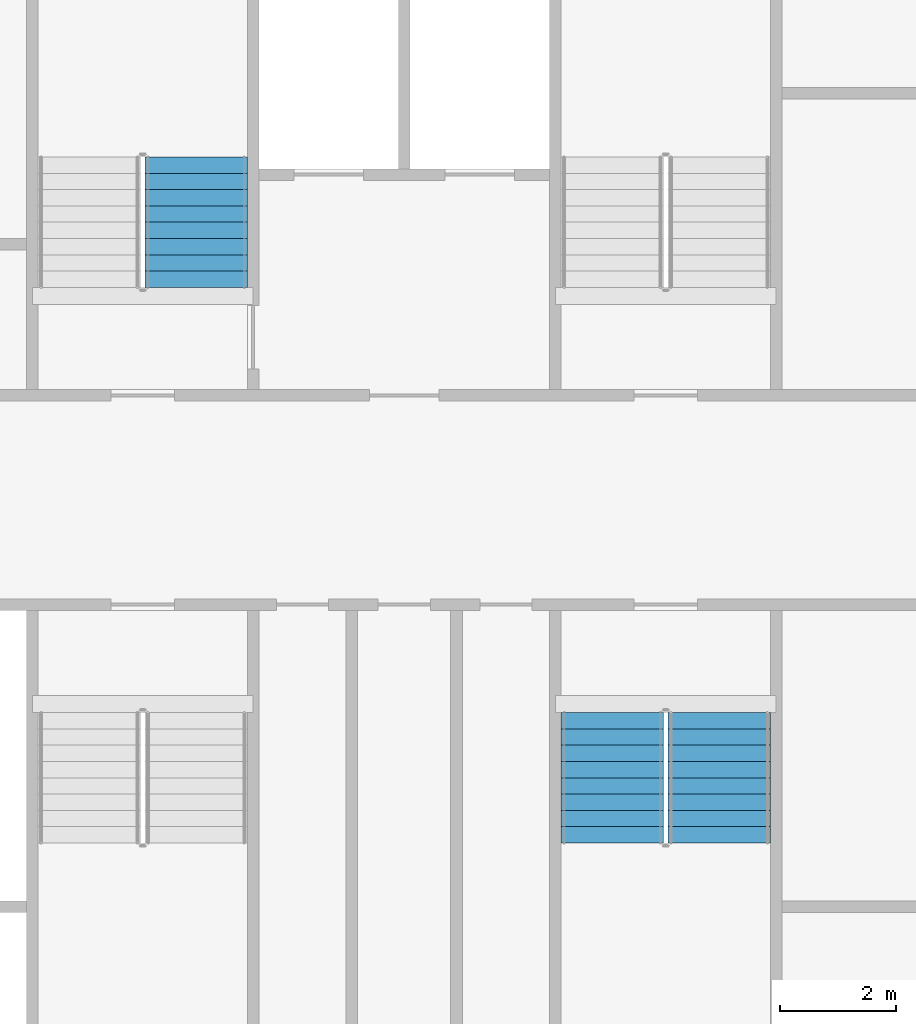
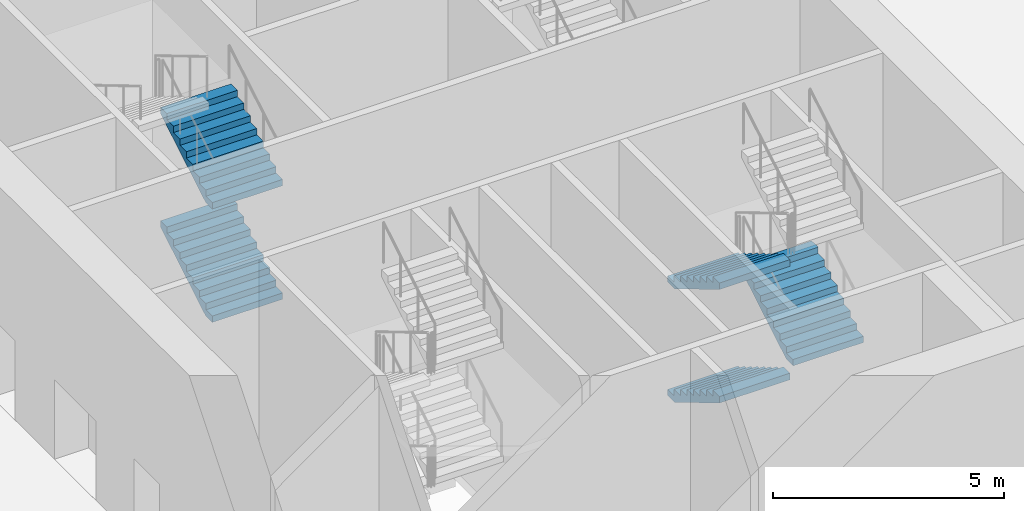
# One storey, part 14 of 24: 5 stair flights, 2 elements without a shape of their own.
"""IFC4 building model written with IfcOpenShell, lengths in metres."""

import ifcopenshell
import ifcopenshell.guid

model = None  # the IFC model being written
_history = None  # IfcOwnerHistory: only IFC2X3 demands one
_inside = {}  # id of a spatial element -> (the spatial element, [elements in it])
_under = {}  # id of a project, library or spatial element -> (it, [spatial elements below it])
_declared = {}  # id of a project -> (the project, [libraries it declares])
_typed = {}  # id of a type object -> (the type object, [elements of that type])
_made_of = {}  # id of a material, layer set ... -> (it, [elements and type objects made of it])


def new_model(schema):
    """Start an empty IFC model of exactly this schema.

    Asked for "IFC4X3", IfcOpenShell would pick the latest addendum, in which some entities
    have other attributes; the version numbers below select the first issue.
    IFC2X3 requires an IfcOwnerHistory on every rooted entity: one is made here for all.
    """
    global model, _history
    if schema == "IFC4X3":
        model = ifcopenshell.file(schema_version=(4, 3, 0, 0))
    else:
        model = ifcopenshell.file(schema=schema)
    _inside.clear()
    _under.clear()
    _declared.clear()
    _typed.clear()
    _made_of.clear()
    _history = None
    if model.schema == "IFC2X3":
        org = make("IfcOrganization", Name="unknown")
        user = make(
            "IfcPersonAndOrganization",
            ThePerson=make("IfcPerson", FamilyName="unknown"),
            TheOrganization=org,
        )
        app = make(
            "IfcApplication",
            ApplicationDeveloper=org,
            Version="unknown",
            ApplicationFullName="unknown",
            ApplicationIdentifier="unknown",
        )
        _history = make(
            "IfcOwnerHistory",
            OwningUser=user,
            OwningApplication=app,
            ChangeAction="ADDED",
            CreationDate=0,
        )
    return model


def make(cls, **values):
    """One entity of the class cls with the attributes given. An attribute that is None is left unset."""
    return model.create_entity(
        cls, **{name: value for name, value in values.items() if value is not None}
    )


def rooted(cls, **values):
    """An entity with a GlobalId (a new one), such as an element, a storey or a relation."""
    return make(cls, GlobalId=ifcopenshell.guid.new(), OwnerHistory=_history, **values)


def si_unit(unit_type, name, prefix=None):
    """IfcSIUnit, for example si_unit("LENGTHUNIT", "METRE", prefix="MILLI")."""
    return make("IfcSIUnit", UnitType=unit_type, Prefix=prefix, Name=name)


def assignment(units):
    """IfcUnitAssignment: the units of a project."""
    return None if units is None else make("IfcUnitAssignment", Units=units)


def point(xyz):
    """IfcCartesianPoint."""
    return None if xyz is None else make("IfcCartesianPoint", Coordinates=xyz)


def direction(xyz):
    """IfcDirection."""
    return None if xyz is None else make("IfcDirection", DirectionRatios=xyz)


def frame(location, z_axis=None, x_axis=None):
    """IfcAxis2Placement3D, a coordinate frame: its origin and axes. An axis left out is left unset."""
    return make(
        "IfcAxis2Placement3D",
        Location=point(location),
        Axis=direction(z_axis),
        RefDirection=direction(x_axis),
    )


def origin():
    """The frame at (0, 0, 0) with its axes left unset."""
    return frame((0.0, 0.0, 0.0))


def place(relative_to, where):
    """IfcLocalPlacement: puts the frame where relative to a parent placement (None: the world)."""
    return make(
        "IfcLocalPlacement", PlacementRelTo=relative_to, RelativePlacement=where
    )


def context(
    kind, dimensions, precision=None, world=None, true_north=None, identifier=None
):
    """IfcGeometricRepresentationContext, for example the 3D "Model" context."""
    return make(
        "IfcGeometricRepresentationContext",
        ContextIdentifier=identifier,
        ContextType=kind,
        CoordinateSpaceDimension=dimensions,
        Precision=precision,
        WorldCoordinateSystem=world,
        TrueNorth=true_north,
    )


def subcontext(parent, identifier, kind, view, scale=None):
    """IfcGeometricRepresentationSubContext, for example "Body" below "Model"."""
    return make(
        "IfcGeometricRepresentationSubContext",
        ContextIdentifier=identifier,
        ContextType=kind,
        ParentContext=parent,
        TargetScale=scale,
        TargetView=view,
    )


def project(units=None, contexts=None):
    """IfcProject with its units and contexts."""
    return rooted(
        "IfcProject",
        Name="project",
        RepresentationContexts=contexts,
        UnitsInContext=assignment(units),
    )


def spatial(cls, under=None, at=None, **own):
    """A site, building, storey or space (cls), placed at a placement, below another one or the project."""
    s = rooted(cls, ObjectPlacement=at, **own)
    if under is not None:
        _under.setdefault(under.id(), (under, []))[1].append(s)
    return s


def faces_of(points, faces, orient=None, outer=None):
    """IfcFace entities. A face is a list of loops; a loop is a list of indices into points, from 0.

    orient and outer hold one flag for each loop. By default every Orientation is true, the
    first loop of a face is its IfcFaceOuterBound and the others are IfcFaceBound.
    """
    made = []
    for i, loops in enumerate(faces):
        bounds = []
        for j, loop in enumerate(loops):
            is_outer = j == 0 if outer is None else outer[i][j]
            bounds.append(
                make(
                    "IfcFaceOuterBound" if is_outer else "IfcFaceBound",
                    Bound=make("IfcPolyLoop", Polygon=[points[k] for k in loop]),
                    Orientation=True if orient is None else orient[i][j],
                )
            )
        made.append(make("IfcFace", Bounds=bounds))
    return made


def faceted_brep(points, faces, orient=None, outer=None, voids=None):
    """IfcFacetedBrep: a solid bounded by flat faces; with voids (closed shells), ...WithVoids."""
    shared = [point(p) for p in points]
    hull = make("IfcClosedShell", CfsFaces=faces_of(shared, faces, orient, outer))
    if voids is None:
        return make("IfcFacetedBrep", Outer=hull)
    return make(
        "IfcFacetedBrepWithVoids",
        Outer=hull,
        Voids=[
            make(cls, CfsFaces=faces_of(shared, fs, o, b)) for cls, fs, o, b in voids
        ],
    )


def shape(context_of_items, identifier, shape_type, items):
    """IfcShapeRepresentation: the items that make up one representation, for example the "Body"."""
    return make(
        "IfcShapeRepresentation",
        ContextOfItems=context_of_items,
        RepresentationIdentifier=identifier,
        RepresentationType=shape_type,
        Items=items,
    )


def material(Name=None, Category=None):
    """IfcMaterial."""
    return make("IfcMaterial", Name=Name, Category=Category)


def made_of(thing, what):
    """Note that an element or type object is made of a material, layer set ...; save() writes the relation."""
    if what is not None:
        _made_of.setdefault(what.id(), (what, []))[1].append(thing)
    return thing


def type_object(cls, material=None, **own):
    """A type object (cls), such as IfcWallType, which elements share."""
    return made_of(rooted(cls, **own), material)


def element(
    cls,
    number,
    at=None,
    inside=None,
    cuts=None,
    type_object=None,
    material=None,
    context=None,
    identifier="Body",
    shape_type=None,
    held_by="IfcProductDefinitionShape",
    body=None,
    shapes=None,
    **own,
):
    """One element of the class cls, such as IfcWall. Its Tag is "e" and its number.

    at: its placement. inside: the storey or other place that contains it. cuts: it is an
    opening in that element (IfcRelVoidsElement). A single representation is given by context,
    identifier, shape_type and body (its items); several are given by shapes. held_by: the class
    of the entity that holds the representations. save() writes the other relations.
    """
    e = rooted(cls, Tag="e%d" % number, ObjectPlacement=at, **own)
    if body is not None:
        shapes = [shape(context, identifier, shape_type, body)]
    if shapes is not None:
        e.Representation = make(held_by, Representations=shapes)
    if inside is not None:
        _inside.setdefault(inside.id(), (inside, []))[1].append(e)
    if cuts is not None:
        rooted(
            "IfcRelVoidsElement", RelatingBuildingElement=cuts, RelatedOpeningElement=e
        )
    if type_object is not None:
        _typed.setdefault(type_object.id(), (type_object, []))[1].append(e)
    return made_of(e, material)


def aggregate(whole, parts):
    """IfcRelAggregates: a whole, such as a stair, and the parts it consists of."""
    return rooted("IfcRelAggregates", RelatingObject=whole, RelatedObjects=parts)


def save(model, path):
    """Write the relations noted so far, then the file.

    IfcRelAggregates (storeys below a building ...), IfcRelContainedInSpatialStructure (elements
    in a storey), IfcRelDefinesByType, IfcRelAssociatesMaterial and IfcRelDeclares: one each for
    every whole, place, type object, material and project.
    """
    for whole, parts in _under.values():
        aggregate(whole, parts)
    for where, things in _inside.values():
        rooted(
            "IfcRelContainedInSpatialStructure",
            RelatedElements=things,
            RelatingStructure=where,
        )
    for kind, things in _typed.values():
        rooted("IfcRelDefinesByType", RelatedObjects=things, RelatingType=kind)
    for what, things in _made_of.values():
        rooted("IfcRelAssociatesMaterial", RelatedObjects=things, RelatingMaterial=what)
    for by, libraries in _declared.values():
        rooted("IfcRelDeclares", RelatingContext=by, RelatedDefinitions=libraries)
    model.write(path)


model = new_model("IFC4")

# Units and contexts
model_context = context("Model", 3, precision=1e-05, world=origin(), true_north=direction((0.0, 1.0)))
body_context = subcontext(model_context, "Body", "Model", "MODEL_VIEW")
ifc_project = project(units=[si_unit("LENGTHUNIT", "METRE"), si_unit("AREAUNIT", "SQUARE_METRE"), si_unit("VOLUMEUNIT", "CUBIC_METRE"), si_unit("PLANEANGLEUNIT", "RADIAN"), si_unit("MASSUNIT", "GRAM", prefix="KILO")], contexts=[model_context])

# Site, building, storey
site_placement = place(None, origin())
site = spatial("IfcSite", under=ifc_project, at=site_placement, CompositionType="ELEMENT")
building_placement = place(site_placement, origin())
building = spatial("IfcBuilding", under=site, at=building_placement, Name="Tarsis Ring Headquarters", CompositionType="ELEMENT")
storey_placement = place(building_placement, frame((0.0, 0.0, 8.0)))
storey = spatial("IfcBuildingStorey", under=building, at=storey_placement, Name="L01", CompositionType="ELEMENT", Elevation=8.0)

# Stair, stair flights
ifc_material_1 = material(Name="Core stair 1760")
stair_type = type_object("IfcStairType", Name="Core stair 1760", PredefinedType="HALF_TURN_STAIR", material=ifc_material_1)
stair_1_placement = place(storey_placement, origin())
stair_1 = element("IfcStair", 1, at=stair_1_placement, inside=storey, type_object=stair_type, Name="L01 Firefighting stair", PredefinedType="HALF_TURN_STAIR")
ifc_material_2 = material(Name="Concrete C40/50", Category="concrete")
stair_flight_type = type_object("IfcStairFlightType", Name="Core stair flight 1760", PredefinedType="STRAIGHT", material=ifc_material_2)
stair_flight_1_placement = place(storey_placement, frame((-3.580078125, 3.659912109375, 0.0), z_axis=(0.0, 0.0, 1.0), x_axis=(0.0, 1.0, 0.0)))
stair_flight_1 = element("IfcStairFlight", 2, at=stair_flight_1_placement, type_object=stair_flight_type, Name="Stair ST1 flight 1", NumberOfRisers=9, NumberOfTreads=8, PredefinedType="STRAIGHT", RiserHeight=0.166666667, TreadLength=0.28, context=body_context, shape_type="Brep", body=[
    faceted_brep([(0.0, 0.8798828125, 0.0), (0.0, 0.8798828125, 0.166748046875), (0.280029296875, 0.8798828125, 0.166748046875), (0.280029296875, 0.8798828125, 0.333251953125), (0.56005859375, 0.8798828125, 0.333251953125), (0.56005859375, 0.8798828125, 0.5), (0.840087890625, 0.8798828125, 0.5), (0.840087890625, 0.8798828125, 0.666748046875), (1.1201171875, 0.8798828125, 0.666748046875), (1.1201171875, 0.8798828125, 0.833251953125), (1.39990234375, 0.8798828125, 0.833251953125), (1.39990234375, 0.8798828125, 1.0), (1.679931640625, 0.8798828125, 1.0), (1.679931640625, 0.8798828125, 1.166748046875), (1.9599609375, 0.8798828125, 1.166748046875), (1.9599609375, 0.8798828125, 1.333251953125), (2.239990234375, 0.8798828125, 1.333251953125), (2.239990234375, 0.8798828125, 1.158935546875), (0.29296875, 0.8798828125, 0.0), (0.29296875, -0.8798828125, 0.0), (2.239990234375, -0.8798828125, 1.158935546875), (2.239990234375, -0.8798828125, 1.333251953125), (1.9599609375, -0.8798828125, 1.333251953125), (1.9599609375, -0.8798828125, 1.166748046875), (1.679931640625, -0.8798828125, 1.166748046875), (1.679931640625, -0.8798828125, 1.0), (1.39990234375, -0.8798828125, 1.0), (1.39990234375, -0.8798828125, 0.833251953125), (1.1201171875, -0.8798828125, 0.833251953125), (1.1201171875, -0.8798828125, 0.666748046875), (0.840087890625, -0.8798828125, 0.666748046875), (0.840087890625, -0.8798828125, 0.5), (0.56005859375, -0.8798828125, 0.5), (0.56005859375, -0.8798828125, 0.333251953125), (0.280029296875, -0.8798828125, 0.333251953125), (0.280029296875, -0.8798828125, 0.166748046875), (0.0, -0.8798828125, 0.166748046875), (0.0, -0.8798828125, 0.0), (0.0, -0.43994140625, 0.166748046875), (0.0, -0.43994140625, 0.0), (0.0, 0.0, 0.166748046875), (0.0, 0.0, 0.0), (0.0, 0.43994140625, 0.166748046875), (0.0, 0.43994140625, 0.0), (0.280029296875, -0.43994140625, 0.166748046875), (0.280029296875, 0.0, 0.166748046875), (0.280029296875, 0.43994140625, 0.166748046875), (0.280029296875, -0.43994140625, 0.333251953125), (0.280029296875, 0.0, 0.333251953125), (0.280029296875, 0.43994140625, 0.333251953125), (0.56005859375, -0.43994140625, 0.333251953125), (0.56005859375, 0.0, 0.333251953125), (0.56005859375, 0.43994140625, 0.333251953125), (0.56005859375, -0.43994140625, 0.5), (0.56005859375, 0.0, 0.5), (0.56005859375, 0.43994140625, 0.5), (0.840087890625, -0.43994140625, 0.5), (0.840087890625, 0.0, 0.5), (0.840087890625, 0.43994140625, 0.5), (0.840087890625, -0.43994140625, 0.666748046875), (0.840087890625, 0.0, 0.666748046875), (0.840087890625, 0.43994140625, 0.666748046875), (1.1201171875, -0.43994140625, 0.666748046875), (1.1201171875, 0.0, 0.666748046875), (1.1201171875, 0.43994140625, 0.666748046875), (1.1201171875, -0.43994140625, 0.833251953125), (1.1201171875, 0.0, 0.833251953125), (1.1201171875, 0.43994140625, 0.833251953125), (1.39990234375, -0.43994140625, 0.833251953125), (1.39990234375, 0.0, 0.833251953125), (1.39990234375, 0.43994140625, 0.833251953125), (1.39990234375, -0.43994140625, 1.0), (1.39990234375, 0.0, 1.0), (1.39990234375, 0.43994140625, 1.0), (1.679931640625, -0.43994140625, 1.0), (1.679931640625, 0.0, 1.0), (1.679931640625, 0.43994140625, 1.0), (1.679931640625, -0.43994140625, 1.166748046875), (1.679931640625, 0.0, 1.166748046875), (1.679931640625, 0.43994140625, 1.166748046875), (1.9599609375, -0.43994140625, 1.166748046875), (1.9599609375, 0.0, 1.166748046875), (1.9599609375, 0.43994140625, 1.166748046875), (1.9599609375, -0.43994140625, 1.333251953125), (1.9599609375, 0.0, 1.333251953125), (1.9599609375, 0.43994140625, 1.333251953125), (2.239990234375, -0.43994140625, 1.333251953125), (2.239990234375, 0.0, 1.333251953125), (2.239990234375, 0.43994140625, 1.333251953125), (2.239990234375, -0.43994140625, 1.158935546875), (2.239990234375, 0.0, 1.158935546875), (2.239990234375, 0.43994140625, 1.158935546875), (0.29296875, -0.43994140625, 0.0), (0.29296875, 0.0, 0.0), (0.29296875, 0.43994140625, 0.0)], [[[0, 1, 2, 3, 4, 5, 6, 7, 8, 9, 10, 11, 12, 13, 14, 15, 16, 17, 18]], [[19, 20, 21, 22, 23, 24, 25, 26, 27, 28, 29, 30, 31, 32, 33, 34, 35, 36, 37]], [[37, 36, 38, 39]], [[39, 38, 40, 41]], [[41, 40, 42, 43]], [[43, 42, 1, 0]], [[36, 35, 44, 38]], [[38, 44, 45, 40]], [[40, 45, 46, 42]], [[42, 46, 2, 1]], [[35, 34, 47, 44]], [[44, 47, 48, 45]], [[45, 48, 49, 46]], [[46, 49, 3, 2]], [[34, 33, 50, 47]], [[47, 50, 51, 48]], [[48, 51, 52, 49]], [[49, 52, 4, 3]], [[33, 32, 53, 50]], [[50, 53, 54, 51]], [[51, 54, 55, 52]], [[52, 55, 5, 4]], [[32, 31, 56, 53]], [[53, 56, 57, 54]], [[54, 57, 58, 55]], [[55, 58, 6, 5]], [[31, 30, 59, 56]], [[56, 59, 60, 57]], [[57, 60, 61, 58]], [[58, 61, 7, 6]], [[30, 29, 62, 59]], [[59, 62, 63, 60]], [[60, 63, 64, 61]], [[61, 64, 8, 7]], [[29, 28, 65, 62]], [[62, 65, 66, 63]], [[63, 66, 67, 64]], [[64, 67, 9, 8]], [[28, 27, 68, 65]], [[65, 68, 69, 66]], [[66, 69, 70, 67]], [[67, 70, 10, 9]], [[27, 26, 71, 68]], [[68, 71, 72, 69]], [[69, 72, 73, 70]], [[70, 73, 11, 10]], [[26, 25, 74, 71]], [[71, 74, 75, 72]], [[72, 75, 76, 73]], [[73, 76, 12, 11]], [[25, 24, 77, 74]], [[74, 77, 78, 75]], [[75, 78, 79, 76]], [[76, 79, 13, 12]], [[24, 23, 80, 77]], [[77, 80, 81, 78]], [[78, 81, 82, 79]], [[79, 82, 14, 13]], [[23, 22, 83, 80]], [[80, 83, 84, 81]], [[81, 84, 85, 82]], [[82, 85, 15, 14]], [[22, 21, 86, 83]], [[83, 86, 87, 84]], [[84, 87, 88, 85]], [[85, 88, 16, 15]], [[21, 20, 89, 86]], [[86, 89, 90, 87]], [[87, 90, 91, 88]], [[88, 91, 17, 16]], [[20, 19, 92, 89]], [[89, 92, 93, 90]], [[90, 93, 94, 91]], [[91, 94, 18, 17]], [[19, 37, 39, 92]], [[92, 39, 41, 93]], [[93, 41, 43, 94]], [[94, 43, 0, 18]]]),
])
stair_flight_2_placement = place(storey_placement, frame((-3.580078125, 3.659912109375, 3.0), z_axis=(0.0, 0.0, 1.0), x_axis=(0.0, 1.0, 0.0)))
stair_flight_2 = element("IfcStairFlight", 3, at=stair_flight_2_placement, type_object=stair_flight_type, Name="Stair ST1 flight 3", NumberOfRisers=9, NumberOfTreads=8, PredefinedType="STRAIGHT", RiserHeight=0.166666667, TreadLength=0.28, context=body_context, shape_type="Brep", body=[
    faceted_brep([(0.0, 0.8798828125, 0.0), (0.0, 0.8798828125, 0.166748046875), (0.280029296875, 0.8798828125, 0.166748046875), (0.280029296875, 0.8798828125, 0.333251953125), (0.56005859375, 0.8798828125, 0.333251953125), (0.56005859375, 0.8798828125, 0.5), (0.840087890625, 0.8798828125, 0.5), (0.840087890625, 0.8798828125, 0.666748046875), (1.1201171875, 0.8798828125, 0.666748046875), (1.1201171875, 0.8798828125, 0.833251953125), (1.39990234375, 0.8798828125, 0.833251953125), (1.39990234375, 0.8798828125, 1.0), (1.679931640625, 0.8798828125, 1.0), (1.679931640625, 0.8798828125, 1.166748046875), (1.9599609375, 0.8798828125, 1.166748046875), (1.9599609375, 0.8798828125, 1.333251953125), (2.239990234375, 0.8798828125, 1.333251953125), (2.239990234375, 0.8798828125, 1.158935546875), (0.29296875, 0.8798828125, 0.0), (0.29296875, -0.8798828125, 0.0), (2.239990234375, -0.8798828125, 1.158935546875), (2.239990234375, -0.8798828125, 1.333251953125), (1.9599609375, -0.8798828125, 1.333251953125), (1.9599609375, -0.8798828125, 1.166748046875), (1.679931640625, -0.8798828125, 1.166748046875), (1.679931640625, -0.8798828125, 1.0), (1.39990234375, -0.8798828125, 1.0), (1.39990234375, -0.8798828125, 0.833251953125), (1.1201171875, -0.8798828125, 0.833251953125), (1.1201171875, -0.8798828125, 0.666748046875), (0.840087890625, -0.8798828125, 0.666748046875), (0.840087890625, -0.8798828125, 0.5), (0.56005859375, -0.8798828125, 0.5), (0.56005859375, -0.8798828125, 0.333251953125), (0.280029296875, -0.8798828125, 0.333251953125), (0.280029296875, -0.8798828125, 0.166748046875), (0.0, -0.8798828125, 0.166748046875), (0.0, -0.8798828125, 0.0), (0.0, -0.43994140625, 0.166748046875), (0.0, -0.43994140625, 0.0), (0.0, 0.0, 0.166748046875), (0.0, 0.0, 0.0), (0.0, 0.43994140625, 0.166748046875), (0.0, 0.43994140625, 0.0), (0.280029296875, -0.43994140625, 0.166748046875), (0.280029296875, 0.0, 0.166748046875), (0.280029296875, 0.43994140625, 0.166748046875), (0.280029296875, -0.43994140625, 0.333251953125), (0.280029296875, 0.0, 0.333251953125), (0.280029296875, 0.43994140625, 0.333251953125), (0.56005859375, -0.43994140625, 0.333251953125), (0.56005859375, 0.0, 0.333251953125), (0.56005859375, 0.43994140625, 0.333251953125), (0.56005859375, -0.43994140625, 0.5), (0.56005859375, 0.0, 0.5), (0.56005859375, 0.43994140625, 0.5), (0.840087890625, -0.43994140625, 0.5), (0.840087890625, 0.0, 0.5), (0.840087890625, 0.43994140625, 0.5), (0.840087890625, -0.43994140625, 0.666748046875), (0.840087890625, 0.0, 0.666748046875), (0.840087890625, 0.43994140625, 0.666748046875), (1.1201171875, -0.43994140625, 0.666748046875), (1.1201171875, 0.0, 0.666748046875), (1.1201171875, 0.43994140625, 0.666748046875), (1.1201171875, -0.43994140625, 0.833251953125), (1.1201171875, 0.0, 0.833251953125), (1.1201171875, 0.43994140625, 0.833251953125), (1.39990234375, -0.43994140625, 0.833251953125), (1.39990234375, 0.0, 0.833251953125), (1.39990234375, 0.43994140625, 0.833251953125), (1.39990234375, -0.43994140625, 1.0), (1.39990234375, 0.0, 1.0), (1.39990234375, 0.43994140625, 1.0), (1.679931640625, -0.43994140625, 1.0), (1.679931640625, 0.0, 1.0), (1.679931640625, 0.43994140625, 1.0), (1.679931640625, -0.43994140625, 1.166748046875), (1.679931640625, 0.0, 1.166748046875), (1.679931640625, 0.43994140625, 1.166748046875), (1.9599609375, -0.43994140625, 1.166748046875), (1.9599609375, 0.0, 1.166748046875), (1.9599609375, 0.43994140625, 1.166748046875), (1.9599609375, -0.43994140625, 1.333251953125), (1.9599609375, 0.0, 1.333251953125), (1.9599609375, 0.43994140625, 1.333251953125), (2.239990234375, -0.43994140625, 1.333251953125), (2.239990234375, 0.0, 1.333251953125), (2.239990234375, 0.43994140625, 1.333251953125), (2.239990234375, -0.43994140625, 1.158935546875), (2.239990234375, 0.0, 1.158935546875), (2.239990234375, 0.43994140625, 1.158935546875), (0.29296875, -0.43994140625, 0.0), (0.29296875, 0.0, 0.0), (0.29296875, 0.43994140625, 0.0)], [[[0, 1, 2, 3, 4, 5, 6, 7, 8, 9, 10, 11, 12, 13, 14, 15, 16, 17, 18]], [[19, 20, 21, 22, 23, 24, 25, 26, 27, 28, 29, 30, 31, 32, 33, 34, 35, 36, 37]], [[37, 36, 38, 39]], [[39, 38, 40, 41]], [[41, 40, 42, 43]], [[43, 42, 1, 0]], [[36, 35, 44, 38]], [[38, 44, 45, 40]], [[40, 45, 46, 42]], [[42, 46, 2, 1]], [[35, 34, 47, 44]], [[44, 47, 48, 45]], [[45, 48, 49, 46]], [[46, 49, 3, 2]], [[34, 33, 50, 47]], [[47, 50, 51, 48]], [[48, 51, 52, 49]], [[49, 52, 4, 3]], [[33, 32, 53, 50]], [[50, 53, 54, 51]], [[51, 54, 55, 52]], [[52, 55, 5, 4]], [[32, 31, 56, 53]], [[53, 56, 57, 54]], [[54, 57, 58, 55]], [[55, 58, 6, 5]], [[31, 30, 59, 56]], [[56, 59, 60, 57]], [[57, 60, 61, 58]], [[58, 61, 7, 6]], [[30, 29, 62, 59]], [[59, 62, 63, 60]], [[60, 63, 64, 61]], [[61, 64, 8, 7]], [[29, 28, 65, 62]], [[62, 65, 66, 63]], [[63, 66, 67, 64]], [[64, 67, 9, 8]], [[28, 27, 68, 65]], [[65, 68, 69, 66]], [[66, 69, 70, 67]], [[67, 70, 10, 9]], [[27, 26, 71, 68]], [[68, 71, 72, 69]], [[69, 72, 73, 70]], [[70, 73, 11, 10]], [[26, 25, 74, 71]], [[71, 74, 75, 72]], [[72, 75, 76, 73]], [[73, 76, 12, 11]], [[25, 24, 77, 74]], [[74, 77, 78, 75]], [[75, 78, 79, 76]], [[76, 79, 13, 12]], [[24, 23, 80, 77]], [[77, 80, 81, 78]], [[78, 81, 82, 79]], [[79, 82, 14, 13]], [[23, 22, 83, 80]], [[80, 83, 84, 81]], [[81, 84, 85, 82]], [[82, 85, 15, 14]], [[22, 21, 86, 83]], [[83, 86, 87, 84]], [[84, 87, 88, 85]], [[85, 88, 16, 15]], [[21, 20, 89, 86]], [[86, 89, 90, 87]], [[87, 90, 91, 88]], [[88, 91, 17, 16]], [[20, 19, 92, 89]], [[89, 92, 93, 90]], [[90, 93, 94, 91]], [[91, 94, 18, 17]], [[19, 37, 39, 92]], [[92, 39, 41, 93]], [[93, 41, 43, 94]], [[94, 43, 0, 18]]]),
])
aggregate(stair_1, [stair_flight_1, stair_flight_2])

stair_2_placement = place(storey_placement, origin())
stair_2 = element("IfcStair", 4, at=stair_2_placement, inside=storey, type_object=stair_type, Name="L01 Exit stair D", PredefinedType="HALF_TURN_STAIR")
stair_flight_3_placement = place(storey_placement, frame((3.580078125, -3.659912109375, 0.0), z_axis=(0.0, 0.0, 1.0), x_axis=(0.0, -1.0, 0.0)))
stair_flight_3 = element("IfcStairFlight", 5, at=stair_flight_3_placement, type_object=stair_flight_type, Name="Stair ST4 flight 1", NumberOfRisers=9, NumberOfTreads=8, PredefinedType="STRAIGHT", RiserHeight=0.166666667, TreadLength=0.28, context=body_context, shape_type="Brep", body=[
    faceted_brep([(0.0, 0.8798828125, 0.0), (0.0, 0.8798828125, 0.166748046875), (0.280029296875, 0.8798828125, 0.166748046875), (0.280029296875, 0.8798828125, 0.333251953125), (0.56005859375, 0.8798828125, 0.333251953125), (0.56005859375, 0.8798828125, 0.5), (0.840087890625, 0.8798828125, 0.5), (0.840087890625, 0.8798828125, 0.666748046875), (1.1201171875, 0.8798828125, 0.666748046875), (1.1201171875, 0.8798828125, 0.833251953125), (1.39990234375, 0.8798828125, 0.833251953125), (1.39990234375, 0.8798828125, 1.0), (1.679931640625, 0.8798828125, 1.0), (1.679931640625, 0.8798828125, 1.166748046875), (1.9599609375, 0.8798828125, 1.166748046875), (1.9599609375, 0.8798828125, 1.333251953125), (2.239990234375, 0.8798828125, 1.333251953125), (2.239990234375, 0.8798828125, 1.158935546875), (0.29296875, 0.8798828125, 0.0), (0.29296875, -0.8798828125, 0.0), (2.239990234375, -0.8798828125, 1.158935546875), (2.239990234375, -0.8798828125, 1.333251953125), (1.9599609375, -0.8798828125, 1.333251953125), (1.9599609375, -0.8798828125, 1.166748046875), (1.679931640625, -0.8798828125, 1.166748046875), (1.679931640625, -0.8798828125, 1.0), (1.39990234375, -0.8798828125, 1.0), (1.39990234375, -0.8798828125, 0.833251953125), (1.1201171875, -0.8798828125, 0.833251953125), (1.1201171875, -0.8798828125, 0.666748046875), (0.840087890625, -0.8798828125, 0.666748046875), (0.840087890625, -0.8798828125, 0.5), (0.56005859375, -0.8798828125, 0.5), (0.56005859375, -0.8798828125, 0.333251953125), (0.280029296875, -0.8798828125, 0.333251953125), (0.280029296875, -0.8798828125, 0.166748046875), (0.0, -0.8798828125, 0.166748046875), (0.0, -0.8798828125, 0.0), (0.0, -0.43994140625, 0.166748046875), (0.0, -0.43994140625, 0.0), (0.0, 0.0, 0.166748046875), (0.0, 0.0, 0.0), (0.0, 0.43994140625, 0.166748046875), (0.0, 0.43994140625, 0.0), (0.280029296875, -0.43994140625, 0.166748046875), (0.280029296875, 0.0, 0.166748046875), (0.280029296875, 0.43994140625, 0.166748046875), (0.280029296875, -0.43994140625, 0.333251953125), (0.280029296875, 0.0, 0.333251953125), (0.280029296875, 0.43994140625, 0.333251953125), (0.56005859375, -0.43994140625, 0.333251953125), (0.56005859375, 0.0, 0.333251953125), (0.56005859375, 0.43994140625, 0.333251953125), (0.56005859375, -0.43994140625, 0.5), (0.56005859375, 0.0, 0.5), (0.56005859375, 0.43994140625, 0.5), (0.840087890625, -0.43994140625, 0.5), (0.840087890625, 0.0, 0.5), (0.840087890625, 0.43994140625, 0.5), (0.840087890625, -0.43994140625, 0.666748046875), (0.840087890625, 0.0, 0.666748046875), (0.840087890625, 0.43994140625, 0.666748046875), (1.1201171875, -0.43994140625, 0.666748046875), (1.1201171875, 0.0, 0.666748046875), (1.1201171875, 0.43994140625, 0.666748046875), (1.1201171875, -0.43994140625, 0.833251953125), (1.1201171875, 0.0, 0.833251953125), (1.1201171875, 0.43994140625, 0.833251953125), (1.39990234375, -0.43994140625, 0.833251953125), (1.39990234375, 0.0, 0.833251953125), (1.39990234375, 0.43994140625, 0.833251953125), (1.39990234375, -0.43994140625, 1.0), (1.39990234375, 0.0, 1.0), (1.39990234375, 0.43994140625, 1.0), (1.679931640625, -0.43994140625, 1.0), (1.679931640625, 0.0, 1.0), (1.679931640625, 0.43994140625, 1.0), (1.679931640625, -0.43994140625, 1.166748046875), (1.679931640625, 0.0, 1.166748046875), (1.679931640625, 0.43994140625, 1.166748046875), (1.9599609375, -0.43994140625, 1.166748046875), (1.9599609375, 0.0, 1.166748046875), (1.9599609375, 0.43994140625, 1.166748046875), (1.9599609375, -0.43994140625, 1.333251953125), (1.9599609375, 0.0, 1.333251953125), (1.9599609375, 0.43994140625, 1.333251953125), (2.239990234375, -0.43994140625, 1.333251953125), (2.239990234375, 0.0, 1.333251953125), (2.239990234375, 0.43994140625, 1.333251953125), (2.239990234375, -0.43994140625, 1.158935546875), (2.239990234375, 0.0, 1.158935546875), (2.239990234375, 0.43994140625, 1.158935546875), (0.29296875, -0.43994140625, 0.0), (0.29296875, 0.0, 0.0), (0.29296875, 0.43994140625, 0.0)], [[[0, 1, 2, 3, 4, 5, 6, 7, 8, 9, 10, 11, 12, 13, 14, 15, 16, 17, 18]], [[19, 20, 21, 22, 23, 24, 25, 26, 27, 28, 29, 30, 31, 32, 33, 34, 35, 36, 37]], [[37, 36, 38, 39]], [[39, 38, 40, 41]], [[41, 40, 42, 43]], [[43, 42, 1, 0]], [[36, 35, 44, 38]], [[38, 44, 45, 40]], [[40, 45, 46, 42]], [[42, 46, 2, 1]], [[35, 34, 47, 44]], [[44, 47, 48, 45]], [[45, 48, 49, 46]], [[46, 49, 3, 2]], [[34, 33, 50, 47]], [[47, 50, 51, 48]], [[48, 51, 52, 49]], [[49, 52, 4, 3]], [[33, 32, 53, 50]], [[50, 53, 54, 51]], [[51, 54, 55, 52]], [[52, 55, 5, 4]], [[32, 31, 56, 53]], [[53, 56, 57, 54]], [[54, 57, 58, 55]], [[55, 58, 6, 5]], [[31, 30, 59, 56]], [[56, 59, 60, 57]], [[57, 60, 61, 58]], [[58, 61, 7, 6]], [[30, 29, 62, 59]], [[59, 62, 63, 60]], [[60, 63, 64, 61]], [[61, 64, 8, 7]], [[29, 28, 65, 62]], [[62, 65, 66, 63]], [[63, 66, 67, 64]], [[64, 67, 9, 8]], [[28, 27, 68, 65]], [[65, 68, 69, 66]], [[66, 69, 70, 67]], [[67, 70, 10, 9]], [[27, 26, 71, 68]], [[68, 71, 72, 69]], [[69, 72, 73, 70]], [[70, 73, 11, 10]], [[26, 25, 74, 71]], [[71, 74, 75, 72]], [[72, 75, 76, 73]], [[73, 76, 12, 11]], [[25, 24, 77, 74]], [[74, 77, 78, 75]], [[75, 78, 79, 76]], [[76, 79, 13, 12]], [[24, 23, 80, 77]], [[77, 80, 81, 78]], [[78, 81, 82, 79]], [[79, 82, 14, 13]], [[23, 22, 83, 80]], [[80, 83, 84, 81]], [[81, 84, 85, 82]], [[82, 85, 15, 14]], [[22, 21, 86, 83]], [[83, 86, 87, 84]], [[84, 87, 88, 85]], [[85, 88, 16, 15]], [[21, 20, 89, 86]], [[86, 89, 90, 87]], [[87, 90, 91, 88]], [[88, 91, 17, 16]], [[20, 19, 92, 89]], [[89, 92, 93, 90]], [[90, 93, 94, 91]], [[91, 94, 18, 17]], [[19, 37, 39, 92]], [[92, 39, 41, 93]], [[93, 41, 43, 94]], [[94, 43, 0, 18]]]),
])
stair_flight_4_placement = place(storey_placement, frame((5.419921875, -5.89990234375, 1.5), z_axis=(0.0, 0.0, 1.0), x_axis=(0.0, 1.0, 0.0)))
stair_flight_4 = element("IfcStairFlight", 6, at=stair_flight_4_placement, type_object=stair_flight_type, Name="Stair ST4 flight 2", NumberOfRisers=9, NumberOfTreads=8, PredefinedType="STRAIGHT", RiserHeight=0.166666667, TreadLength=0.28, context=body_context, shape_type="Brep", body=[
    faceted_brep([(0.0, 0.8798828125, 0.0), (0.0, 0.8798828125, 0.166748046875), (0.280029296875, 0.8798828125, 0.166748046875), (0.280029296875, 0.8798828125, 0.333251953125), (0.56005859375, 0.8798828125, 0.333251953125), (0.56005859375, 0.8798828125, 0.5), (0.840087890625, 0.8798828125, 0.5), (0.840087890625, 0.8798828125, 0.666748046875), (1.1201171875, 0.8798828125, 0.666748046875), (1.1201171875, 0.8798828125, 0.833251953125), (1.39990234375, 0.8798828125, 0.833251953125), (1.39990234375, 0.8798828125, 1.0), (1.679931640625, 0.8798828125, 1.0), (1.679931640625, 0.8798828125, 1.166748046875), (1.9599609375, 0.8798828125, 1.166748046875), (1.9599609375, 0.8798828125, 1.333251953125), (2.239990234375, 0.8798828125, 1.333251953125), (2.239990234375, 0.8798828125, 1.158935546875), (0.29296875, 0.8798828125, 0.0), (0.29296875, -0.8798828125, 0.0), (2.239990234375, -0.8798828125, 1.158935546875), (2.239990234375, -0.8798828125, 1.333251953125), (1.9599609375, -0.8798828125, 1.333251953125), (1.9599609375, -0.8798828125, 1.166748046875), (1.679931640625, -0.8798828125, 1.166748046875), (1.679931640625, -0.8798828125, 1.0), (1.39990234375, -0.8798828125, 1.0), (1.39990234375, -0.8798828125, 0.833251953125), (1.1201171875, -0.8798828125, 0.833251953125), (1.1201171875, -0.8798828125, 0.666748046875), (0.840087890625, -0.8798828125, 0.666748046875), (0.840087890625, -0.8798828125, 0.5), (0.56005859375, -0.8798828125, 0.5), (0.56005859375, -0.8798828125, 0.333251953125), (0.280029296875, -0.8798828125, 0.333251953125), (0.280029296875, -0.8798828125, 0.166748046875), (0.0, -0.8798828125, 0.166748046875), (0.0, -0.8798828125, 0.0), (0.0, -0.43994140625, 0.166748046875), (0.0, -0.43994140625, 0.0), (0.0, 0.0, 0.166748046875), (0.0, 0.0, 0.0), (0.0, 0.43994140625, 0.166748046875), (0.0, 0.43994140625, 0.0), (0.280029296875, -0.43994140625, 0.166748046875), (0.280029296875, 0.0, 0.166748046875), (0.280029296875, 0.43994140625, 0.166748046875), (0.280029296875, -0.43994140625, 0.333251953125), (0.280029296875, 0.0, 0.333251953125), (0.280029296875, 0.43994140625, 0.333251953125), (0.56005859375, -0.43994140625, 0.333251953125), (0.56005859375, 0.0, 0.333251953125), (0.56005859375, 0.43994140625, 0.333251953125), (0.56005859375, -0.43994140625, 0.5), (0.56005859375, 0.0, 0.5), (0.56005859375, 0.43994140625, 0.5), (0.840087890625, -0.43994140625, 0.5), (0.840087890625, 0.0, 0.5), (0.840087890625, 0.43994140625, 0.5), (0.840087890625, -0.43994140625, 0.666748046875), (0.840087890625, 0.0, 0.666748046875), (0.840087890625, 0.43994140625, 0.666748046875), (1.1201171875, -0.43994140625, 0.666748046875), (1.1201171875, 0.0, 0.666748046875), (1.1201171875, 0.43994140625, 0.666748046875), (1.1201171875, -0.43994140625, 0.833251953125), (1.1201171875, 0.0, 0.833251953125), (1.1201171875, 0.43994140625, 0.833251953125), (1.39990234375, -0.43994140625, 0.833251953125), (1.39990234375, 0.0, 0.833251953125), (1.39990234375, 0.43994140625, 0.833251953125), (1.39990234375, -0.43994140625, 1.0), (1.39990234375, 0.0, 1.0), (1.39990234375, 0.43994140625, 1.0), (1.679931640625, -0.43994140625, 1.0), (1.679931640625, 0.0, 1.0), (1.679931640625, 0.43994140625, 1.0), (1.679931640625, -0.43994140625, 1.166748046875), (1.679931640625, 0.0, 1.166748046875), (1.679931640625, 0.43994140625, 1.166748046875), (1.9599609375, -0.43994140625, 1.166748046875), (1.9599609375, 0.0, 1.166748046875), (1.9599609375, 0.43994140625, 1.166748046875), (1.9599609375, -0.43994140625, 1.333251953125), (1.9599609375, 0.0, 1.333251953125), (1.9599609375, 0.43994140625, 1.333251953125), (2.239990234375, -0.43994140625, 1.333251953125), (2.239990234375, 0.0, 1.333251953125), (2.239990234375, 0.43994140625, 1.333251953125), (2.239990234375, -0.43994140625, 1.158935546875), (2.239990234375, 0.0, 1.158935546875), (2.239990234375, 0.43994140625, 1.158935546875), (0.29296875, -0.43994140625, 0.0), (0.29296875, 0.0, 0.0), (0.29296875, 0.43994140625, 0.0)], [[[0, 1, 2, 3, 4, 5, 6, 7, 8, 9, 10, 11, 12, 13, 14, 15, 16, 17, 18]], [[19, 20, 21, 22, 23, 24, 25, 26, 27, 28, 29, 30, 31, 32, 33, 34, 35, 36, 37]], [[37, 36, 38, 39]], [[39, 38, 40, 41]], [[41, 40, 42, 43]], [[43, 42, 1, 0]], [[36, 35, 44, 38]], [[38, 44, 45, 40]], [[40, 45, 46, 42]], [[42, 46, 2, 1]], [[35, 34, 47, 44]], [[44, 47, 48, 45]], [[45, 48, 49, 46]], [[46, 49, 3, 2]], [[34, 33, 50, 47]], [[47, 50, 51, 48]], [[48, 51, 52, 49]], [[49, 52, 4, 3]], [[33, 32, 53, 50]], [[50, 53, 54, 51]], [[51, 54, 55, 52]], [[52, 55, 5, 4]], [[32, 31, 56, 53]], [[53, 56, 57, 54]], [[54, 57, 58, 55]], [[55, 58, 6, 5]], [[31, 30, 59, 56]], [[56, 59, 60, 57]], [[57, 60, 61, 58]], [[58, 61, 7, 6]], [[30, 29, 62, 59]], [[59, 62, 63, 60]], [[60, 63, 64, 61]], [[61, 64, 8, 7]], [[29, 28, 65, 62]], [[62, 65, 66, 63]], [[63, 66, 67, 64]], [[64, 67, 9, 8]], [[28, 27, 68, 65]], [[65, 68, 69, 66]], [[66, 69, 70, 67]], [[67, 70, 10, 9]], [[27, 26, 71, 68]], [[68, 71, 72, 69]], [[69, 72, 73, 70]], [[70, 73, 11, 10]], [[26, 25, 74, 71]], [[71, 74, 75, 72]], [[72, 75, 76, 73]], [[73, 76, 12, 11]], [[25, 24, 77, 74]], [[74, 77, 78, 75]], [[75, 78, 79, 76]], [[76, 79, 13, 12]], [[24, 23, 80, 77]], [[77, 80, 81, 78]], [[78, 81, 82, 79]], [[79, 82, 14, 13]], [[23, 22, 83, 80]], [[80, 83, 84, 81]], [[81, 84, 85, 82]], [[82, 85, 15, 14]], [[22, 21, 86, 83]], [[83, 86, 87, 84]], [[84, 87, 88, 85]], [[85, 88, 16, 15]], [[21, 20, 89, 86]], [[86, 89, 90, 87]], [[87, 90, 91, 88]], [[88, 91, 17, 16]], [[20, 19, 92, 89]], [[89, 92, 93, 90]], [[90, 93, 94, 91]], [[91, 94, 18, 17]], [[19, 37, 39, 92]], [[92, 39, 41, 93]], [[93, 41, 43, 94]], [[94, 43, 0, 18]]]),
])
stair_flight_5_placement = place(storey_placement, frame((3.580078125, -3.659912109375, 3.0), z_axis=(0.0, 0.0, 1.0), x_axis=(0.0, -1.0, 0.0)))
stair_flight_5 = element("IfcStairFlight", 7, at=stair_flight_5_placement, type_object=stair_flight_type, Name="Stair ST4 flight 3", NumberOfRisers=9, NumberOfTreads=8, PredefinedType="STRAIGHT", RiserHeight=0.166666667, TreadLength=0.28, context=body_context, shape_type="Brep", body=[
    faceted_brep([(0.0, 0.8798828125, 0.0), (0.0, 0.8798828125, 0.166748046875), (0.280029296875, 0.8798828125, 0.166748046875), (0.280029296875, 0.8798828125, 0.333251953125), (0.56005859375, 0.8798828125, 0.333251953125), (0.56005859375, 0.8798828125, 0.5), (0.840087890625, 0.8798828125, 0.5), (0.840087890625, 0.8798828125, 0.666748046875), (1.1201171875, 0.8798828125, 0.666748046875), (1.1201171875, 0.8798828125, 0.833251953125), (1.39990234375, 0.8798828125, 0.833251953125), (1.39990234375, 0.8798828125, 1.0), (1.679931640625, 0.8798828125, 1.0), (1.679931640625, 0.8798828125, 1.166748046875), (1.9599609375, 0.8798828125, 1.166748046875), (1.9599609375, 0.8798828125, 1.333251953125), (2.239990234375, 0.8798828125, 1.333251953125), (2.239990234375, 0.8798828125, 1.158935546875), (0.29296875, 0.8798828125, 0.0), (0.29296875, -0.8798828125, 0.0), (2.239990234375, -0.8798828125, 1.158935546875), (2.239990234375, -0.8798828125, 1.333251953125), (1.9599609375, -0.8798828125, 1.333251953125), (1.9599609375, -0.8798828125, 1.166748046875), (1.679931640625, -0.8798828125, 1.166748046875), (1.679931640625, -0.8798828125, 1.0), (1.39990234375, -0.8798828125, 1.0), (1.39990234375, -0.8798828125, 0.833251953125), (1.1201171875, -0.8798828125, 0.833251953125), (1.1201171875, -0.8798828125, 0.666748046875), (0.840087890625, -0.8798828125, 0.666748046875), (0.840087890625, -0.8798828125, 0.5), (0.56005859375, -0.8798828125, 0.5), (0.56005859375, -0.8798828125, 0.333251953125), (0.280029296875, -0.8798828125, 0.333251953125), (0.280029296875, -0.8798828125, 0.166748046875), (0.0, -0.8798828125, 0.166748046875), (0.0, -0.8798828125, 0.0), (0.0, -0.43994140625, 0.166748046875), (0.0, -0.43994140625, 0.0), (0.0, 0.0, 0.166748046875), (0.0, 0.0, 0.0), (0.0, 0.43994140625, 0.166748046875), (0.0, 0.43994140625, 0.0), (0.280029296875, -0.43994140625, 0.166748046875), (0.280029296875, 0.0, 0.166748046875), (0.280029296875, 0.43994140625, 0.166748046875), (0.280029296875, -0.43994140625, 0.333251953125), (0.280029296875, 0.0, 0.333251953125), (0.280029296875, 0.43994140625, 0.333251953125), (0.56005859375, -0.43994140625, 0.333251953125), (0.56005859375, 0.0, 0.333251953125), (0.56005859375, 0.43994140625, 0.333251953125), (0.56005859375, -0.43994140625, 0.5), (0.56005859375, 0.0, 0.5), (0.56005859375, 0.43994140625, 0.5), (0.840087890625, -0.43994140625, 0.5), (0.840087890625, 0.0, 0.5), (0.840087890625, 0.43994140625, 0.5), (0.840087890625, -0.43994140625, 0.666748046875), (0.840087890625, 0.0, 0.666748046875), (0.840087890625, 0.43994140625, 0.666748046875), (1.1201171875, -0.43994140625, 0.666748046875), (1.1201171875, 0.0, 0.666748046875), (1.1201171875, 0.43994140625, 0.666748046875), (1.1201171875, -0.43994140625, 0.833251953125), (1.1201171875, 0.0, 0.833251953125), (1.1201171875, 0.43994140625, 0.833251953125), (1.39990234375, -0.43994140625, 0.833251953125), (1.39990234375, 0.0, 0.833251953125), (1.39990234375, 0.43994140625, 0.833251953125), (1.39990234375, -0.43994140625, 1.0), (1.39990234375, 0.0, 1.0), (1.39990234375, 0.43994140625, 1.0), (1.679931640625, -0.43994140625, 1.0), (1.679931640625, 0.0, 1.0), (1.679931640625, 0.43994140625, 1.0), (1.679931640625, -0.43994140625, 1.166748046875), (1.679931640625, 0.0, 1.166748046875), (1.679931640625, 0.43994140625, 1.166748046875), (1.9599609375, -0.43994140625, 1.166748046875), (1.9599609375, 0.0, 1.166748046875), (1.9599609375, 0.43994140625, 1.166748046875), (1.9599609375, -0.43994140625, 1.333251953125), (1.9599609375, 0.0, 1.333251953125), (1.9599609375, 0.43994140625, 1.333251953125), (2.239990234375, -0.43994140625, 1.333251953125), (2.239990234375, 0.0, 1.333251953125), (2.239990234375, 0.43994140625, 1.333251953125), (2.239990234375, -0.43994140625, 1.158935546875), (2.239990234375, 0.0, 1.158935546875), (2.239990234375, 0.43994140625, 1.158935546875), (0.29296875, -0.43994140625, 0.0), (0.29296875, 0.0, 0.0), (0.29296875, 0.43994140625, 0.0)], [[[0, 1, 2, 3, 4, 5, 6, 7, 8, 9, 10, 11, 12, 13, 14, 15, 16, 17, 18]], [[19, 20, 21, 22, 23, 24, 25, 26, 27, 28, 29, 30, 31, 32, 33, 34, 35, 36, 37]], [[37, 36, 38, 39]], [[39, 38, 40, 41]], [[41, 40, 42, 43]], [[43, 42, 1, 0]], [[36, 35, 44, 38]], [[38, 44, 45, 40]], [[40, 45, 46, 42]], [[42, 46, 2, 1]], [[35, 34, 47, 44]], [[44, 47, 48, 45]], [[45, 48, 49, 46]], [[46, 49, 3, 2]], [[34, 33, 50, 47]], [[47, 50, 51, 48]], [[48, 51, 52, 49]], [[49, 52, 4, 3]], [[33, 32, 53, 50]], [[50, 53, 54, 51]], [[51, 54, 55, 52]], [[52, 55, 5, 4]], [[32, 31, 56, 53]], [[53, 56, 57, 54]], [[54, 57, 58, 55]], [[55, 58, 6, 5]], [[31, 30, 59, 56]], [[56, 59, 60, 57]], [[57, 60, 61, 58]], [[58, 61, 7, 6]], [[30, 29, 62, 59]], [[59, 62, 63, 60]], [[60, 63, 64, 61]], [[61, 64, 8, 7]], [[29, 28, 65, 62]], [[62, 65, 66, 63]], [[63, 66, 67, 64]], [[64, 67, 9, 8]], [[28, 27, 68, 65]], [[65, 68, 69, 66]], [[66, 69, 70, 67]], [[67, 70, 10, 9]], [[27, 26, 71, 68]], [[68, 71, 72, 69]], [[69, 72, 73, 70]], [[70, 73, 11, 10]], [[26, 25, 74, 71]], [[71, 74, 75, 72]], [[72, 75, 76, 73]], [[73, 76, 12, 11]], [[25, 24, 77, 74]], [[74, 77, 78, 75]], [[75, 78, 79, 76]], [[76, 79, 13, 12]], [[24, 23, 80, 77]], [[77, 80, 81, 78]], [[78, 81, 82, 79]], [[79, 82, 14, 13]], [[23, 22, 83, 80]], [[80, 83, 84, 81]], [[81, 84, 85, 82]], [[82, 85, 15, 14]], [[22, 21, 86, 83]], [[83, 86, 87, 84]], [[84, 87, 88, 85]], [[85, 88, 16, 15]], [[21, 20, 89, 86]], [[86, 89, 90, 87]], [[87, 90, 91, 88]], [[88, 91, 17, 16]], [[20, 19, 92, 89]], [[89, 92, 93, 90]], [[90, 93, 94, 91]], [[91, 94, 18, 17]], [[19, 37, 39, 92]], [[92, 39, 41, 93]], [[93, 41, 43, 94]], [[94, 43, 0, 18]]]),
])
aggregate(stair_2, [stair_flight_3, stair_flight_4, stair_flight_5])

save(model, "model.ifc")
